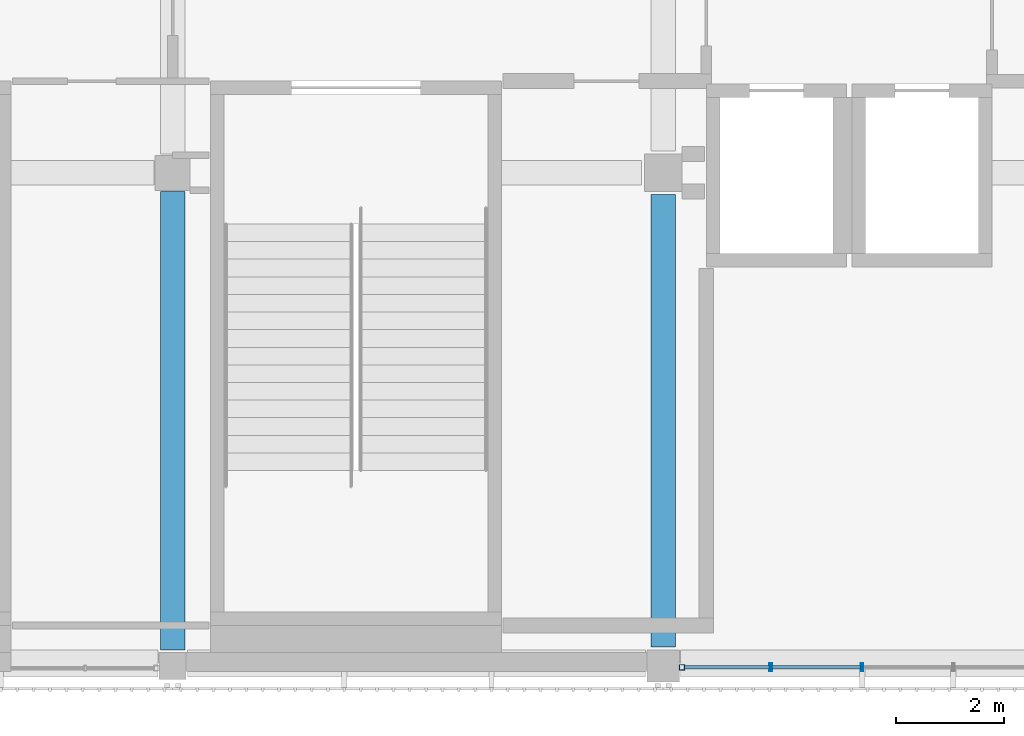
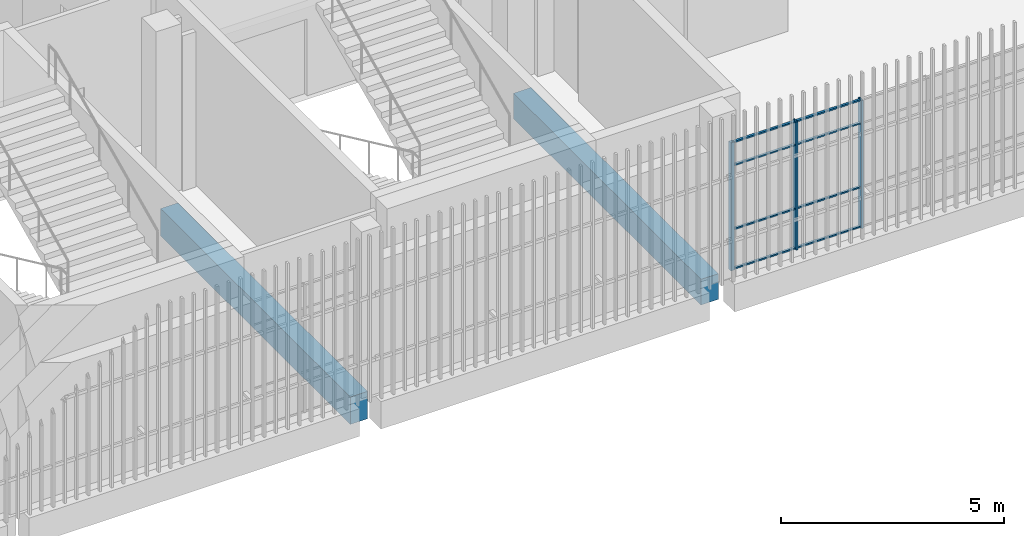
# One storey, part 5 of 104: 11 members, 2 beams, 1 element without a shape of its own.
"""IFC4 building model written with IfcOpenShell, lengths in metres."""

import ifcopenshell
import ifcopenshell.guid

model = None  # the IFC model being written
_history = None  # IfcOwnerHistory: only IFC2X3 demands one
_inside = {}  # id of a spatial element -> (the spatial element, [elements in it])
_under = {}  # id of a project, library or spatial element -> (it, [spatial elements below it])
_declared = {}  # id of a project -> (the project, [libraries it declares])
_typed = {}  # id of a type object -> (the type object, [elements of that type])
_made_of = {}  # id of a material, layer set ... -> (it, [elements and type objects made of it])


def new_model(schema):
    """Start an empty IFC model of exactly this schema.

    Asked for "IFC4X3", IfcOpenShell would pick the latest addendum, in which some entities
    have other attributes; the version numbers below select the first issue.
    IFC2X3 requires an IfcOwnerHistory on every rooted entity: one is made here for all.
    """
    global model, _history
    if schema == "IFC4X3":
        model = ifcopenshell.file(schema_version=(4, 3, 0, 0))
    else:
        model = ifcopenshell.file(schema=schema)
    _inside.clear()
    _under.clear()
    _declared.clear()
    _typed.clear()
    _made_of.clear()
    _history = None
    if model.schema == "IFC2X3":
        org = make("IfcOrganization", Name="unknown")
        user = make(
            "IfcPersonAndOrganization",
            ThePerson=make("IfcPerson", FamilyName="unknown"),
            TheOrganization=org,
        )
        app = make(
            "IfcApplication",
            ApplicationDeveloper=org,
            Version="unknown",
            ApplicationFullName="unknown",
            ApplicationIdentifier="unknown",
        )
        _history = make(
            "IfcOwnerHistory",
            OwningUser=user,
            OwningApplication=app,
            ChangeAction="ADDED",
            CreationDate=0,
        )
    return model


def make(cls, **values):
    """One entity of the class cls with the attributes given. An attribute that is None is left unset."""
    return model.create_entity(
        cls, **{name: value for name, value in values.items() if value is not None}
    )


def rooted(cls, **values):
    """An entity with a GlobalId (a new one), such as an element, a storey or a relation."""
    return make(cls, GlobalId=ifcopenshell.guid.new(), OwnerHistory=_history, **values)


def si_unit(unit_type, name, prefix=None):
    """IfcSIUnit, for example si_unit("LENGTHUNIT", "METRE", prefix="MILLI")."""
    return make("IfcSIUnit", UnitType=unit_type, Prefix=prefix, Name=name)


def assignment(units):
    """IfcUnitAssignment: the units of a project."""
    return None if units is None else make("IfcUnitAssignment", Units=units)


def point(xyz):
    """IfcCartesianPoint."""
    return None if xyz is None else make("IfcCartesianPoint", Coordinates=xyz)


def direction(xyz):
    """IfcDirection."""
    return None if xyz is None else make("IfcDirection", DirectionRatios=xyz)


def frame(location, z_axis=None, x_axis=None):
    """IfcAxis2Placement3D, a coordinate frame: its origin and axes. An axis left out is left unset."""
    return make(
        "IfcAxis2Placement3D",
        Location=point(location),
        Axis=direction(z_axis),
        RefDirection=direction(x_axis),
    )


def frame_2d(location, x_axis=None):
    """IfcAxis2Placement2D, a coordinate frame in the plane: its origin and x axis."""
    return make(
        "IfcAxis2Placement2D", Location=point(location), RefDirection=direction(x_axis)
    )


def origin():
    """The frame at (0, 0, 0) with its axes left unset."""
    return frame((0.0, 0.0, 0.0))


def origin_2d():
    """The frame at (0, 0) in the plane with its x axis left unset."""
    return frame_2d((0.0, 0.0))


def place(relative_to, where):
    """IfcLocalPlacement: puts the frame where relative to a parent placement (None: the world)."""
    return make(
        "IfcLocalPlacement", PlacementRelTo=relative_to, RelativePlacement=where
    )


def context(
    kind, dimensions, precision=None, world=None, true_north=None, identifier=None
):
    """IfcGeometricRepresentationContext, for example the 3D "Model" context."""
    return make(
        "IfcGeometricRepresentationContext",
        ContextIdentifier=identifier,
        ContextType=kind,
        CoordinateSpaceDimension=dimensions,
        Precision=precision,
        WorldCoordinateSystem=world,
        TrueNorth=true_north,
    )


def subcontext(parent, identifier, kind, view, scale=None):
    """IfcGeometricRepresentationSubContext, for example "Body" below "Model"."""
    return make(
        "IfcGeometricRepresentationSubContext",
        ContextIdentifier=identifier,
        ContextType=kind,
        ParentContext=parent,
        TargetScale=scale,
        TargetView=view,
    )


def project(units=None, contexts=None):
    """IfcProject with its units and contexts."""
    return rooted(
        "IfcProject",
        Name="project",
        RepresentationContexts=contexts,
        UnitsInContext=assignment(units),
    )


def spatial(cls, under=None, at=None, **own):
    """A site, building, storey or space (cls), placed at a placement, below another one or the project."""
    s = rooted(cls, ObjectPlacement=at, **own)
    if under is not None:
        _under.setdefault(under.id(), (under, []))[1].append(s)
    return s


def profile(cls, at=None, kind="AREA", **sizes):
    """A parametric profile (cls). Its sizes go by their IFC names, for example OverallWidth=200.0."""
    return make(cls, ProfileType=kind, Position=at, **sizes)


def rectangle(**sizes):
    """IfcRectangleProfileDef."""
    return profile("IfcRectangleProfileDef", **sizes)


def hollow_rectangle(**sizes):
    """IfcRectangleHollowProfileDef."""
    return profile("IfcRectangleHollowProfileDef", **sizes)


def extrude(swept, where, along, depth):
    """IfcExtrudedAreaSolid: the profile swept, set in the frame where, extruded along a direction by depth."""
    return make(
        "IfcExtrudedAreaSolid",
        SweptArea=swept,
        Position=where,
        ExtrudedDirection=direction(along),
        Depth=depth,
    )


def shape(context_of_items, identifier, shape_type, items):
    """IfcShapeRepresentation: the items that make up one representation, for example the "Body"."""
    return make(
        "IfcShapeRepresentation",
        ContextOfItems=context_of_items,
        RepresentationIdentifier=identifier,
        RepresentationType=shape_type,
        Items=items,
    )


def material(Name=None, Category=None):
    """IfcMaterial."""
    return make("IfcMaterial", Name=Name, Category=Category)


def layer(
    of_material, thickness, ventilated=None, Name=None, Category=None, Priority=None
):
    """IfcMaterialLayer: one layer of a wall or slab, of a material (None: an air gap)."""
    return make(
        "IfcMaterialLayer",
        Material=of_material,
        LayerThickness=thickness,
        IsVentilated=ventilated,
        Name=Name,
        Category=Category,
        Priority=Priority,
    )


def layer_set(layers, Name=None):
    """IfcMaterialLayerSet."""
    return make("IfcMaterialLayerSet", MaterialLayers=layers, LayerSetName=Name)


def material_profile(
    of_material, cross_section, Name=None, Category=None, Priority=None
):
    """IfcMaterialProfile: a cross section and its material."""
    return make(
        "IfcMaterialProfile",
        Name=Name,
        Material=of_material,
        Profile=cross_section,
        Priority=Priority,
        Category=Category,
    )


def profile_set(profiles, Name=None, composite=None):
    """IfcMaterialProfileSet."""
    return make(
        "IfcMaterialProfileSet",
        Name=Name,
        MaterialProfiles=profiles,
        CompositeProfile=composite,
    )


def made_of(thing, what):
    """Note that an element or type object is made of a material, layer set ...; save() writes the relation."""
    if what is not None:
        _made_of.setdefault(what.id(), (what, []))[1].append(thing)
    return thing


def type_object(cls, material=None, **own):
    """A type object (cls), such as IfcWallType, which elements share."""
    return made_of(rooted(cls, **own), material)


def element(
    cls,
    number,
    at=None,
    inside=None,
    cuts=None,
    type_object=None,
    material=None,
    context=None,
    identifier="Body",
    shape_type=None,
    held_by="IfcProductDefinitionShape",
    body=None,
    shapes=None,
    **own,
):
    """One element of the class cls, such as IfcWall. Its Tag is "e" and its number.

    at: its placement. inside: the storey or other place that contains it. cuts: it is an
    opening in that element (IfcRelVoidsElement). A single representation is given by context,
    identifier, shape_type and body (its items); several are given by shapes. held_by: the class
    of the entity that holds the representations. save() writes the other relations.
    """
    e = rooted(cls, Tag="e%d" % number, ObjectPlacement=at, **own)
    if body is not None:
        shapes = [shape(context, identifier, shape_type, body)]
    if shapes is not None:
        e.Representation = make(held_by, Representations=shapes)
    if inside is not None:
        _inside.setdefault(inside.id(), (inside, []))[1].append(e)
    if cuts is not None:
        rooted(
            "IfcRelVoidsElement", RelatingBuildingElement=cuts, RelatedOpeningElement=e
        )
    if type_object is not None:
        _typed.setdefault(type_object.id(), (type_object, []))[1].append(e)
    return made_of(e, material)


def aggregate(whole, parts):
    """IfcRelAggregates: a whole, such as a stair, and the parts it consists of."""
    return rooted("IfcRelAggregates", RelatingObject=whole, RelatedObjects=parts)


def save(model, path):
    """Write the relations noted so far, then the file.

    IfcRelAggregates (storeys below a building ...), IfcRelContainedInSpatialStructure (elements
    in a storey), IfcRelDefinesByType, IfcRelAssociatesMaterial and IfcRelDeclares: one each for
    every whole, place, type object, material and project.
    """
    for whole, parts in _under.values():
        aggregate(whole, parts)
    for where, things in _inside.values():
        rooted(
            "IfcRelContainedInSpatialStructure",
            RelatedElements=things,
            RelatingStructure=where,
        )
    for kind, things in _typed.values():
        rooted("IfcRelDefinesByType", RelatedObjects=things, RelatingType=kind)
    for what, things in _made_of.values():
        rooted("IfcRelAssociatesMaterial", RelatedObjects=things, RelatingMaterial=what)
    for by, libraries in _declared.values():
        rooted("IfcRelDeclares", RelatingContext=by, RelatedDefinitions=libraries)
    model.write(path)


model = new_model("IFC4")

# Units and contexts
model_context = context("Model", 3, precision=1e-05, world=origin(), true_north=direction((0.0, 1.0)))
body_context = subcontext(model_context, "Body", "Model", "MODEL_VIEW")
ifc_project = project(units=[si_unit("LENGTHUNIT", "METRE"), si_unit("AREAUNIT", "SQUARE_METRE"), si_unit("VOLUMEUNIT", "CUBIC_METRE"), si_unit("PLANEANGLEUNIT", "RADIAN"), si_unit("MASSUNIT", "GRAM", prefix="KILO")], contexts=[model_context])

# Site, building, storey
site_placement = place(None, origin())
site = spatial("IfcSite", under=ifc_project, at=site_placement, CompositionType="ELEMENT")
building_placement = place(site_placement, origin())
building = spatial("IfcBuilding", under=site, at=building_placement, Name="Shirokan Park Arena", CompositionType="ELEMENT")
storey_placement = place(building_placement, frame((0.0, 0.0, 10.919921875)))
storey = spatial("IfcBuildingStorey", under=building, at=storey_placement, Name="L02", CompositionType="ELEMENT", Elevation=10.919921875)

# Curtain wall, members
ifc_material_1 = material(Name="Steel and glass curtain wall", Category="steel")
ifc_layer = layer(ifc_material_1, 0.14990234375)
ifc_layer_set = layer_set([ifc_layer], Name="Steel and glass curtain wall 150 mm")
curtain_wall_type = type_object("IfcCurtainWallType", Name="Curtain wall exposed bay 150", PredefinedType="NOTDEFINED", material=ifc_layer_set)
curtain_wall_placement = place(storey_placement, origin())
curtain_wall = element("IfcCurtainWall", 1, at=curtain_wall_placement, inside=storey, type_object=curtain_wall_type, Name="Curtain wall south bay 4 L02", PredefinedType="NOTDEFINED")
ifc_material_2 = material(Name="Steel S355", Category="steel")
ifc_material_profile_1 = material_profile(ifc_material_2, hollow_rectangle(XDim=0.10009765625, YDim=0.10009765625, WallThickness=0.006103515625, at=origin_2d()), Name="RHS 100x100x6")
ifc_profile_set_1 = profile_set([ifc_material_profile_1], Name="Steel S355")
member_type_1 = type_object("IfcMemberType", Name="Mullion RHS 100x100x6", PredefinedType="MULLION", material=ifc_profile_set_1)
member_1_placement = place(storey_placement, frame((27.64990234375, -0.074951171875, 0.0), z_axis=(0.0, 0.0, 1.0), x_axis=(0.0, 1.0, 0.0)))
member_1 = element("IfcMember", 2, at=member_1_placement, type_object=member_type_1, Name="CW1 mullion 1", PredefinedType="MULLION", context=body_context, shape_type="SweptSolid", body=[
    extrude(hollow_rectangle(XDim=0.10009765625, YDim=0.10009765625, WallThickness=0.006103515625, at=origin_2d()), origin(), (0.0, 0.0, 1.0), 3.5),
])
ifc_material_profile_2 = material_profile(ifc_material_2, hollow_rectangle(XDim=0.14990234375, YDim=0.050048828125, WallThickness=0.006103515625, at=origin_2d()), Name="RHS 150x50x6")
ifc_profile_set_2 = profile_set([ifc_material_profile_2], Name="Steel S355")
member_type_2 = type_object("IfcMemberType", Name="Mullion RHS 150x50x6", PredefinedType="MULLION", material=ifc_profile_set_2)
member_2_placement = place(storey_placement, frame((29.294921875, -0.074951171875, 0.0), z_axis=(0.0, 0.0, 1.0), x_axis=(0.0, 1.0, 0.0)))
member_2 = element("IfcMember", 3, at=member_2_placement, type_object=member_type_2, Name="CW1 mullion 2", PredefinedType="MULLION", context=body_context, shape_type="SweptSolid", body=[
    extrude(hollow_rectangle(XDim=0.14990234375, YDim=0.050048828125, WallThickness=0.006103515625, at=origin_2d()), origin(), (0.0, 0.0, 1.0), 3.5),
])
member_3_placement = place(storey_placement, frame((30.989990234375, -0.074951171875, 0.0), z_axis=(0.0, 0.0, 1.0), x_axis=(0.0, 1.0, 0.0)))
member_3 = element("IfcMember", 4, at=member_3_placement, type_object=member_type_2, Name="CW1 mullion 3", PredefinedType="MULLION", context=body_context, shape_type="SweptSolid", body=[
    extrude(hollow_rectangle(XDim=0.14990234375, YDim=0.050048828125, WallThickness=0.006103515625, at=origin_2d()), origin(), (0.0, 0.0, 1.0), 3.5),
])

# Beams
ifc_material_3 = material(Name="Concrete C35", Category="concrete")
ifc_material_profile_3 = material_profile(ifc_material_3, rectangle(XDim=0.449951171875, YDim=0.699951171875, at=origin_2d()), Name="450x700")
ifc_profile_set_3 = profile_set([ifc_material_profile_3], Name="Concrete C35")
beam_type_1 = type_object("IfcBeamType", Name="RC girder 450x700", PredefinedType="BEAM", material=ifc_profile_set_3)
beam_1_placement = place(storey_placement, frame((27.300048828125, 0.300048828125, -0.64990234375), z_axis=(0.0, 1.0, 0.0), x_axis=(-1.0, 0.0, 0.0)))
element("IfcBeam", 5, at=beam_1_placement, inside=storey, type_object=beam_type_1, Name="Girder 4A-4B L02", PredefinedType="BEAM", context=body_context, shape_type="SweptSolid", body=[
    extrude(rectangle(XDim=0.449951171875, YDim=0.699951171875, at=origin_2d()), origin(), (0.0, 0.0, 1.0), 8.39990234375),
])
ifc_material_profile_4 = material_profile(ifc_material_3, rectangle(XDim=0.449951171875, YDim=0.75, at=origin_2d()), Name="450x750")
ifc_profile_set_4 = profile_set([ifc_material_profile_4], Name="Concrete C35")
beam_type_2 = type_object("IfcBeamType", Name="RC girder 450x750", PredefinedType="BEAM", material=ifc_profile_set_4)
beam_2_placement = place(storey_placement, frame((18.199951171875, 0.25, -0.6748046875), z_axis=(0.0, 1.0, 0.0), x_axis=(-1.0, 0.0, 0.0)))
element("IfcBeam", 6, at=beam_2_placement, inside=storey, type_object=beam_type_2, Name="Girder 3A-3B L02", PredefinedType="BEAM", context=body_context, shape_type="SweptSolid", body=[
    extrude(rectangle(XDim=0.449951171875, YDim=0.75, at=origin_2d()), origin(), (0.0, 0.0, 1.0), 8.5),
])

# Member
ifc_material_profile_5 = material_profile(ifc_material_2, hollow_rectangle(XDim=0.06005859375, YDim=0.0400390625, WallThickness=0.00390625, at=origin_2d()), Name="RHS 60x40x4")
ifc_profile_set_5 = profile_set([ifc_material_profile_5], Name="Steel S355")
member_type_3 = type_object("IfcMemberType", Name="Transom RHS 60x40x4", PredefinedType="MULLION", material=ifc_profile_set_5)
member_4_placement = place(storey_placement, frame((27.699951171875, -0.074951171875, 0.02001953125), z_axis=(1.0, 0.0, 0.0), x_axis=(0.0, 1.0, 0.0)))
member_4 = element("IfcMember", 7, at=member_4_placement, type_object=member_type_3, Name="CW1 transom 1.1", PredefinedType="MULLION", context=body_context, shape_type="SweptSolid", body=[
    extrude(hollow_rectangle(XDim=0.06005859375, YDim=0.0400390625, WallThickness=0.00390625, at=origin_2d()), origin(), (0.0, 0.0, 1.0), 1.570068359375),
])

member_5_placement = place(storey_placement, frame((27.699951171875, -0.074951171875, 1.10009765625), z_axis=(1.0, 0.0, 0.0), x_axis=(0.0, 1.0, 0.0)))
member_5 = element("IfcMember", 8, at=member_5_placement, type_object=member_type_3, Name="CW1 transom 1.2", PredefinedType="MULLION", context=body_context, shape_type="SweptSolid", body=[
    extrude(hollow_rectangle(XDim=0.06005859375, YDim=0.0400390625, WallThickness=0.00390625, at=origin_2d()), origin(), (0.0, 0.0, 1.0), 1.570068359375),
])

member_6_placement = place(storey_placement, frame((27.699951171875, -0.074951171875, 2.85009765625), z_axis=(1.0, 0.0, 0.0), x_axis=(0.0, 1.0, 0.0)))
member_6 = element("IfcMember", 9, at=member_6_placement, type_object=member_type_3, Name="CW1 transom 1.3", PredefinedType="MULLION", context=body_context, shape_type="SweptSolid", body=[
    extrude(hollow_rectangle(XDim=0.06005859375, YDim=0.0400390625, WallThickness=0.00390625, at=origin_2d()), origin(), (0.0, 0.0, 1.0), 1.570068359375),
])

member_7_placement = place(storey_placement, frame((27.699951171875, -0.074951171875, 3.47998046875), z_axis=(1.0, 0.0, 0.0), x_axis=(0.0, 1.0, 0.0)))
member_7 = element("IfcMember", 10, at=member_7_placement, type_object=member_type_3, Name="CW1 transom 1.4", PredefinedType="MULLION", context=body_context, shape_type="SweptSolid", body=[
    extrude(hollow_rectangle(XDim=0.06005859375, YDim=0.0400390625, WallThickness=0.00390625, at=origin_2d()), origin(), (0.0, 0.0, 1.0), 1.570068359375),
])

member_8_placement = place(storey_placement, frame((29.320068359375, -0.074951171875, 0.02001953125), z_axis=(1.0, 0.0, 0.0), x_axis=(0.0, 1.0, 0.0)))
member_8 = element("IfcMember", 11, at=member_8_placement, type_object=member_type_3, Name="CW1 transom 2.1", PredefinedType="MULLION", context=body_context, shape_type="SweptSolid", body=[
    extrude(hollow_rectangle(XDim=0.06005859375, YDim=0.0400390625, WallThickness=0.00390625, at=origin_2d()), origin(), (0.0, 0.0, 1.0), 1.64501953125),
])

member_9_placement = place(storey_placement, frame((29.320068359375, -0.074951171875, 1.10009765625), z_axis=(1.0, 0.0, 0.0), x_axis=(0.0, 1.0, 0.0)))
member_9 = element("IfcMember", 12, at=member_9_placement, type_object=member_type_3, Name="CW1 transom 2.2", PredefinedType="MULLION", context=body_context, shape_type="SweptSolid", body=[
    extrude(hollow_rectangle(XDim=0.06005859375, YDim=0.0400390625, WallThickness=0.00390625, at=origin_2d()), origin(), (0.0, 0.0, 1.0), 1.64501953125),
])

member_10_placement = place(storey_placement, frame((29.320068359375, -0.074951171875, 2.85009765625), z_axis=(1.0, 0.0, 0.0), x_axis=(0.0, 1.0, 0.0)))
member_10 = element("IfcMember", 13, at=member_10_placement, type_object=member_type_3, Name="CW1 transom 2.3", PredefinedType="MULLION", context=body_context, shape_type="SweptSolid", body=[
    extrude(hollow_rectangle(XDim=0.06005859375, YDim=0.0400390625, WallThickness=0.00390625, at=origin_2d()), origin(), (0.0, 0.0, 1.0), 1.64501953125),
])

member_11_placement = place(storey_placement, frame((29.320068359375, -0.074951171875, 3.47998046875), z_axis=(1.0, 0.0, 0.0), x_axis=(0.0, 1.0, 0.0)))
member_11 = element("IfcMember", 14, at=member_11_placement, type_object=member_type_3, Name="CW1 transom 2.4", PredefinedType="MULLION", context=body_context, shape_type="SweptSolid", body=[
    extrude(hollow_rectangle(XDim=0.06005859375, YDim=0.0400390625, WallThickness=0.00390625, at=origin_2d()), origin(), (0.0, 0.0, 1.0), 1.64501953125),
])

aggregate(curtain_wall, [member_1, member_2, member_3, member_4, member_5, member_6, member_7, member_8, member_9, member_10, member_11])

save(model, "model.ifc")
